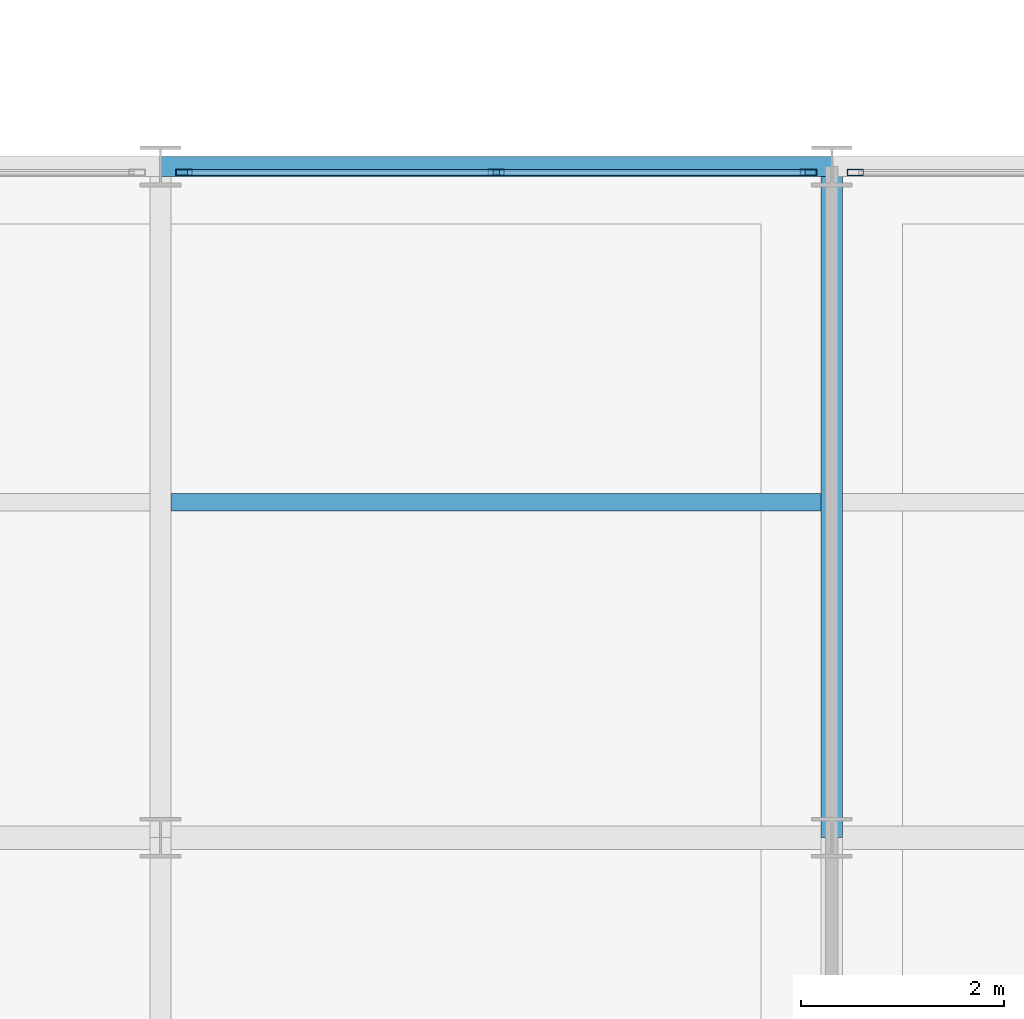
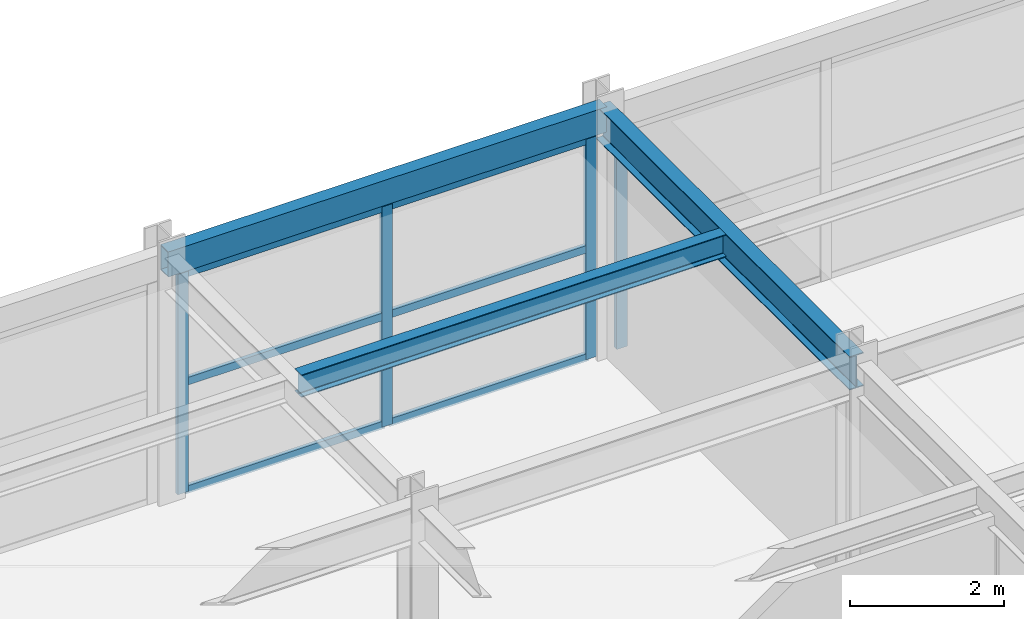
# One storey, part 57 of 147: 10 members, 3 beams, 2 elements without a shape of their own.
"""IFC4 building model written with IfcOpenShell, lengths in metres."""

from ifc_helpers import new_model, si_unit, direction, frame, origin, origin_2d, place, context, subcontext, project, spatial, hollow_rectangle, i_section, extrude, material, material_profile, profile_set, type_object, element, aggregate, save


model = new_model("IFC4")

# Units and contexts
model_context = context("Model", 3, precision=1e-05, world=origin(), true_north=direction((0.0, 1.0)))
body_context = subcontext(model_context, "Body", "Model", "MODEL_VIEW")
ifc_project = project(units=[si_unit("LENGTHUNIT", "METRE"), si_unit("AREAUNIT", "SQUARE_METRE"), si_unit("VOLUMEUNIT", "CUBIC_METRE"), si_unit("PLANEANGLEUNIT", "RADIAN"), si_unit("MASSUNIT", "GRAM", prefix="KILO")], contexts=[model_context])

# Site, building, storey
site_placement = place(None, origin())
site = spatial("IfcSite", under=ifc_project, at=site_placement, CompositionType="ELEMENT")
building_placement = place(site_placement, origin())
building = spatial("IfcBuilding", under=site, at=building_placement, Name="Karori Crest Natural Sciences Institute", CompositionType="ELEMENT")
storey_placement = place(building_placement, frame((0.0, 0.0, 9.10009765625)))
storey = spatial("IfcBuildingStorey", under=building, at=storey_placement, Name="L02", CompositionType="ELEMENT", Elevation=9.10009765625)

# Beams
ifc_material_1 = material(Name="Structural steel AS/NZS 3679.1 Grade 350", Category="steel")
ifc_material_profile_1 = material_profile(ifc_material_1, i_section(OverallWidth=0.208984375, OverallDepth=0.532958984375, WebThickness=0.01025390625, FlangeThickness=0.015625, FilletRadius=0.013916015625, at=origin_2d()), Name="530UB92.4")
ifc_profile_set_1 = profile_set([ifc_material_profile_1], Name="Structural steel AS/NZS 3679.1 Grade 350")
beam_type_1 = type_object("IfcBeamType", Name="BT-05", PredefinedType="BEAM", material=ifc_profile_set_1)
beam_1_placement = place(storey_placement, frame((123.39990234375, 14.0, 3.6533203125), z_axis=(0.0, 1.0, 0.0), x_axis=(-1.0, 0.0, 0.0)))
element("IfcBeam", 1, at=beam_1_placement, inside=storey, type_object=beam_type_1, Name="Beam B-2240", PredefinedType="BEAM", context=body_context, shape_type="SweptSolid", body=[
    extrude(i_section(OverallWidth=0.208984375, OverallDepth=0.532958984375, WebThickness=0.01025390625, FlangeThickness=0.015625, FilletRadius=0.013916015625, at=origin_2d()), origin(), (0.0, 0.0, 1.0), 6.60009765625),
])
ifc_material_profile_2 = material_profile(ifc_material_1, i_section(OverallWidth=0.172119140625, OverallDepth=0.35888671875, WebThickness=0.008056640625, FlangeThickness=0.012939453125, FilletRadius=0.010986328125, at=origin_2d()), Name="360UB56.7")
ifc_profile_set_2 = profile_set([ifc_material_profile_2], Name="Structural steel AS/NZS 3679.1 Grade 350")
beam_type_2 = type_object("IfcBeamType", Name="BT-08", PredefinedType="BEAM", material=ifc_profile_set_2)
beam_2_placement = place(storey_placement, frame((116.904541015625, 17.300048828125, 3.740478515625), z_axis=(1.0, 0.0, 0.0), x_axis=(0.0, 1.0, 0.0)))
element("IfcBeam", 2, at=beam_2_placement, inside=storey, type_object=beam_type_2, Name="Beam B-2265", PredefinedType="BEAM", context=body_context, shape_type="SweptSolid", body=[
    extrude(i_section(OverallWidth=0.172119140625, OverallDepth=0.35888671875, WebThickness=0.008056640625, FlangeThickness=0.012939453125, FilletRadius=0.010986328125, at=origin_2d()), origin(), (0.0, 0.0, 1.0), 6.390869140625),
])
ifc_material_2 = material(Name="Hollow structural steel AS/NZS 1163 Grade C350", Category="steel")
ifc_material_profile_3 = material_profile(ifc_material_2, hollow_rectangle(XDim=0.199951171875, YDim=0.39990234375, WallThickness=0.012451171875, at=origin_2d()), Name="RHS400x200x12.5")
ifc_profile_set_3 = profile_set([ifc_material_profile_3], Name="Hollow structural steel AS/NZS 1163 Grade C350")
beam_type_3 = type_object("IfcBeamType", Name="BT-14", PredefinedType="SPANDREL", material=ifc_profile_set_3)
beam_3_placement = place(storey_placement, frame((116.800048828125, 20.60009765625, 3.719970703125), z_axis=(1.0, 0.0, 0.0), x_axis=(0.0, 1.0, 0.0)))
element("IfcBeam", 3, at=beam_3_placement, inside=storey, type_object=beam_type_3, Name="Beam B-2222", PredefinedType="SPANDREL", context=body_context, shape_type="SweptSolid", body=[
    extrude(hollow_rectangle(XDim=0.199951171875, YDim=0.39990234375, WallThickness=0.012451171875, at=origin_2d()), origin(), (0.0, 0.0, 1.0), 6.599853515625),
])

# Curtain wall, members
ifc_material_3 = material(Name="Anodised architectural aluminium 6063-T6", Category="aluminium")
curtain_wall_type = type_object("IfcCurtainWallType", Name="CWT-20", PredefinedType="NOTDEFINED", material=ifc_material_3)
curtain_wall_1_placement = place(storey_placement, origin())
curtain_wall_1 = element("IfcCurtainWall", 4, at=curtain_wall_1_placement, inside=storey, type_object=curtain_wall_type, Name="Curtain wall CW-0315", PredefinedType="NOTDEFINED")
ifc_material_profile_4 = material_profile(ifc_material_3, hollow_rectangle(XDim=0.06494140625, YDim=0.159912109375, WallThickness=0.00390625, at=origin_2d()), Name="CWM160x65x4")
ifc_profile_set_4 = profile_set([ifc_material_profile_4], Name="Anodised architectural aluminium 6063-T6")
member_type_1 = type_object("IfcMemberType", Name="CWM-01", PredefinedType="MULLION", material=ifc_profile_set_4)
member_1_placement = place(storey_placement, frame((117.030517578125, 20.5400390625, 0.0), z_axis=(0.0, 0.0, 1.0), x_axis=(0.0, 1.0, 0.0)))
member_1 = element("IfcMember", 5, at=member_1_placement, type_object=member_type_1, Name="CW-0315 mullion 1", PredefinedType="MULLION", context=body_context, shape_type="SweptSolid", body=[
    extrude(hollow_rectangle(XDim=0.06494140625, YDim=0.159912109375, WallThickness=0.00390625, at=origin_2d()), origin(), (0.0, 0.0, 1.0), 3.5048828125),
])
member_2_placement = place(storey_placement, frame((120.10009765625, 20.5400390625, 0.0), z_axis=(0.0, 0.0, 1.0), x_axis=(0.0, 1.0, 0.0)))
member_2 = element("IfcMember", 6, at=member_2_placement, type_object=member_type_1, Name="CW-0315 mullion 2", PredefinedType="MULLION", context=body_context, shape_type="SweptSolid", body=[
    extrude(hollow_rectangle(XDim=0.06494140625, YDim=0.159912109375, WallThickness=0.00390625, at=origin_2d()), origin(), (0.0, 0.0, 1.0), 3.5048828125),
])
member_3_placement = place(storey_placement, frame((123.16943359375, 20.5400390625, 0.0), z_axis=(0.0, 0.0, 1.0), x_axis=(0.0, 1.0, 0.0)))
member_3 = element("IfcMember", 7, at=member_3_placement, type_object=member_type_1, Name="CW-0315 mullion 3", PredefinedType="MULLION", context=body_context, shape_type="SweptSolid", body=[
    extrude(hollow_rectangle(XDim=0.06494140625, YDim=0.159912109375, WallThickness=0.00390625, at=origin_2d()), origin(), (0.0, 0.0, 1.0), 3.5048828125),
])

# Curtain wall, member
curtain_wall_2_placement = place(storey_placement, origin())
curtain_wall_2 = element("IfcCurtainWall", 8, at=curtain_wall_2_placement, inside=storey, type_object=curtain_wall_type, Name="Curtain wall CW-0316", PredefinedType="NOTDEFINED")
member_4_placement = place(storey_placement, frame((123.630615234375, 20.5400390625, 0.0), z_axis=(0.0, 0.0, 1.0), x_axis=(0.0, 1.0, 0.0)))
member_4 = element("IfcMember", 9, at=member_4_placement, type_object=member_type_1, Name="CW-0316 mullion 1", PredefinedType="MULLION", context=body_context, shape_type="SweptSolid", body=[
    extrude(hollow_rectangle(XDim=0.06494140625, YDim=0.159912109375, WallThickness=0.00390625, at=origin_2d()), origin(), (0.0, 0.0, 1.0), 3.5048828125),
])
aggregate(curtain_wall_2, [member_4])

# Member
ifc_material_profile_5 = material_profile(ifc_material_3, hollow_rectangle(XDim=0.06005859375, YDim=0.1201171875, WallThickness=0.00390625, at=origin_2d()), Name="CWT120x60x4")
ifc_profile_set_5 = profile_set([ifc_material_profile_5], Name="Anodised architectural aluminium 6063-T6")
member_type_2 = type_object("IfcMemberType", Name="CWT-TR1", PredefinedType="USERDEFINED", material=ifc_profile_set_5)
member_5_placement = place(storey_placement, frame((117.06298828125, 20.5400390625, 0.02978515625), z_axis=(1.0, 0.0, 0.0), x_axis=(0.0, 1.0, 0.0)))
member_5 = element("IfcMember", 10, at=member_5_placement, type_object=member_type_2, Name="CW-0315 transom 1.1", ObjectType="TRANSOM", PredefinedType="USERDEFINED", context=body_context, shape_type="SweptSolid", body=[
    extrude(hollow_rectangle(XDim=0.06005859375, YDim=0.1201171875, WallThickness=0.00390625, at=origin_2d()), origin(), (0.0, 0.0, 1.0), 3.00439453125),
])

member_6_placement = place(storey_placement, frame((117.06298828125, 20.5400390625, 1.75244140625), z_axis=(1.0, 0.0, 0.0), x_axis=(0.0, 1.0, 0.0)))
member_6 = element("IfcMember", 11, at=member_6_placement, type_object=member_type_2, Name="CW-0315 transom 1.2", ObjectType="TRANSOM", PredefinedType="USERDEFINED", context=body_context, shape_type="SweptSolid", body=[
    extrude(hollow_rectangle(XDim=0.06005859375, YDim=0.1201171875, WallThickness=0.00390625, at=origin_2d()), origin(), (0.0, 0.0, 1.0), 3.00439453125),
])

member_7_placement = place(storey_placement, frame((117.06298828125, 20.5400390625, 3.474853515625), z_axis=(1.0, 0.0, 0.0), x_axis=(0.0, 1.0, 0.0)))
member_7 = element("IfcMember", 12, at=member_7_placement, type_object=member_type_2, Name="CW-0315 transom 1.3", ObjectType="TRANSOM", PredefinedType="USERDEFINED", context=body_context, shape_type="SweptSolid", body=[
    extrude(hollow_rectangle(XDim=0.06005859375, YDim=0.1201171875, WallThickness=0.00390625, at=origin_2d()), origin(), (0.0, 0.0, 1.0), 3.00439453125),
])

member_8_placement = place(storey_placement, frame((120.132568359375, 20.5400390625, 0.02978515625), z_axis=(1.0, 0.0, 0.0), x_axis=(0.0, 1.0, 0.0)))
member_8 = element("IfcMember", 13, at=member_8_placement, type_object=member_type_2, Name="CW-0315 transom 2.1", ObjectType="TRANSOM", PredefinedType="USERDEFINED", context=body_context, shape_type="SweptSolid", body=[
    extrude(hollow_rectangle(XDim=0.06005859375, YDim=0.1201171875, WallThickness=0.00390625, at=origin_2d()), origin(), (0.0, 0.0, 1.0), 3.00439453125),
])

member_9_placement = place(storey_placement, frame((120.132568359375, 20.5400390625, 1.75244140625), z_axis=(1.0, 0.0, 0.0), x_axis=(0.0, 1.0, 0.0)))
member_9 = element("IfcMember", 14, at=member_9_placement, type_object=member_type_2, Name="CW-0315 transom 2.2", ObjectType="TRANSOM", PredefinedType="USERDEFINED", context=body_context, shape_type="SweptSolid", body=[
    extrude(hollow_rectangle(XDim=0.06005859375, YDim=0.1201171875, WallThickness=0.00390625, at=origin_2d()), origin(), (0.0, 0.0, 1.0), 3.00439453125),
])

member_10_placement = place(storey_placement, frame((120.132568359375, 20.5400390625, 3.474853515625), z_axis=(1.0, 0.0, 0.0), x_axis=(0.0, 1.0, 0.0)))
member_10 = element("IfcMember", 15, at=member_10_placement, type_object=member_type_2, Name="CW-0315 transom 2.3", ObjectType="TRANSOM", PredefinedType="USERDEFINED", context=body_context, shape_type="SweptSolid", body=[
    extrude(hollow_rectangle(XDim=0.06005859375, YDim=0.1201171875, WallThickness=0.00390625, at=origin_2d()), origin(), (0.0, 0.0, 1.0), 3.00439453125),
])

aggregate(curtain_wall_1, [member_1, member_2, member_3, member_5, member_6, member_7, member_8, member_9, member_10])

save(model, "model.ifc")
